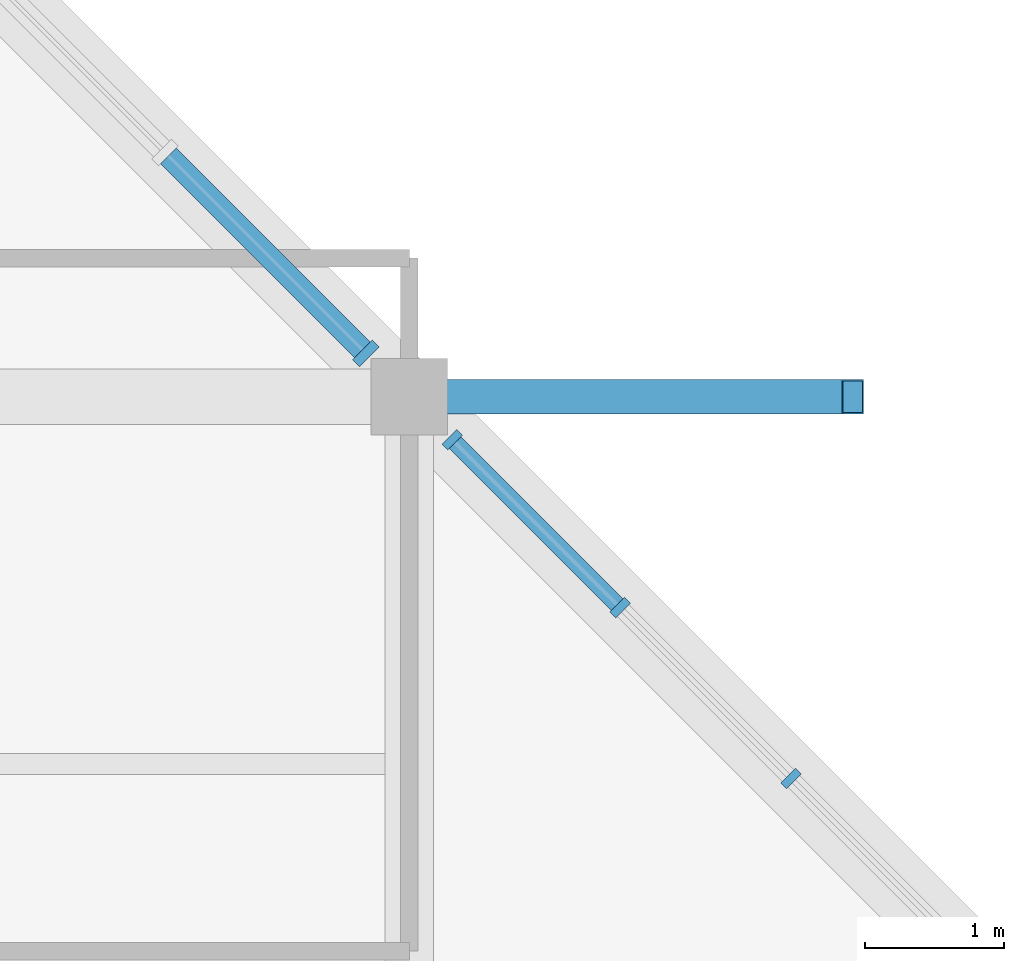
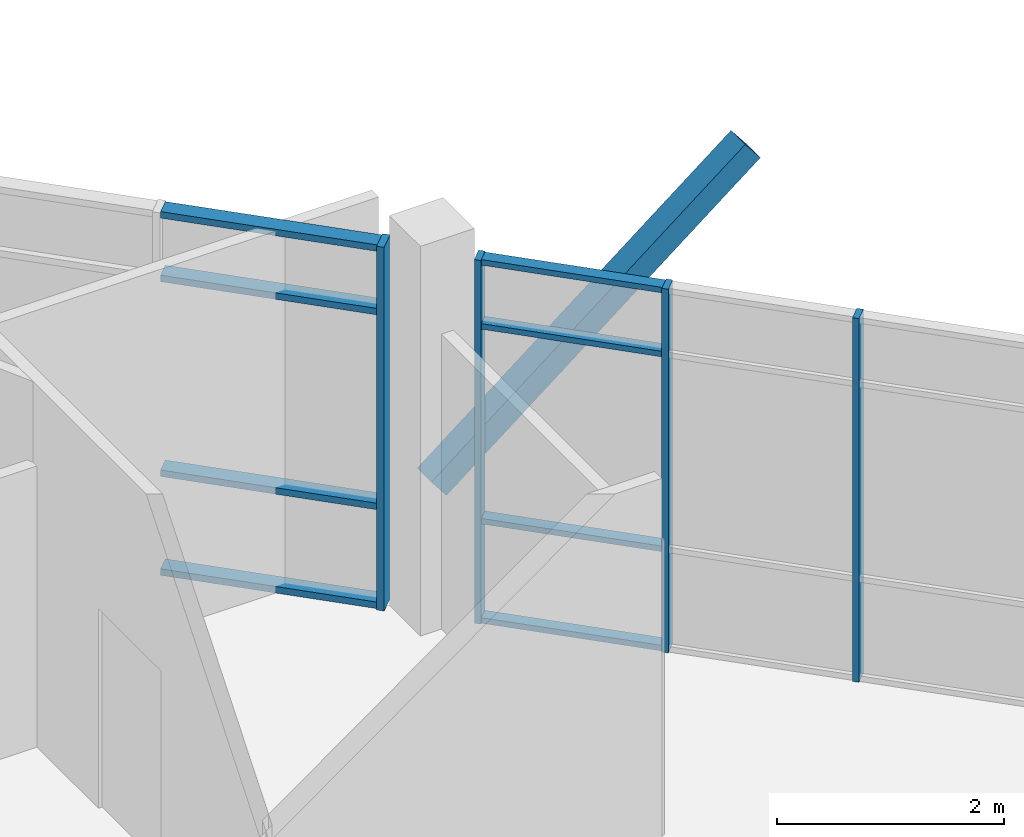
# One storey, part 26 of 72: 13 members, 2 elements without a shape of their own.
"""IFC4 building model written with IfcOpenShell, lengths in metres."""

from ifc_helpers import new_model, si_unit, direction, frame, origin, origin_2d, place, context, subcontext, project, spatial, rectangle, hollow_rectangle, extrude, material, material_profile, profile_set, type_object, element, aggregate, save


model = new_model("IFC4")

# Units and contexts
model_context = context("Model", 3, precision=1e-05, world=origin(), true_north=direction((0.0, 1.0)))
body_context = subcontext(model_context, "Body", "Model", "MODEL_VIEW")
ifc_project = project(units=[si_unit("LENGTHUNIT", "METRE"), si_unit("AREAUNIT", "SQUARE_METRE"), si_unit("VOLUMEUNIT", "CUBIC_METRE"), si_unit("PLANEANGLEUNIT", "RADIAN"), si_unit("MASSUNIT", "GRAM", prefix="KILO")], contexts=[model_context])

# Site, building, storey
site_placement = place(None, origin())
site = spatial("IfcSite", under=ifc_project, at=site_placement, CompositionType="ELEMENT")
building_placement = place(site_placement, origin())
building = spatial("IfcBuilding", under=site, at=building_placement, Name="Tenunan Teduh Sports Hall", CompositionType="ELEMENT")
storey_placement = place(building_placement, frame((0.0, 0.0, 15.0)))
storey = spatial("IfcBuildingStorey", under=building, at=storey_placement, Name="L03", CompositionType="ELEMENT", Elevation=15.0)

# Curtain wall, members
ifc_material_1 = material(Name="Anodised aluminium", Category="aluminium")
curtain_wall_type = type_object("IfcCurtainWallType", Name="CW-UNIT-2", PredefinedType="NOTDEFINED", material=ifc_material_1)
curtain_wall_1_placement = place(storey_placement, origin())
curtain_wall_1 = element("IfcCurtainWall", 1, at=curtain_wall_1_placement, inside=storey, type_object=curtain_wall_type, Name="CW-CWM-150-L03-223", PredefinedType="NOTDEFINED")
ifc_material_2 = material(Name="Anodised aluminium", Category="aluminium")
ifc_material_profile_1 = material_profile(ifc_material_2, rectangle(XDim=0.06005859375, YDim=0.14990234375, at=origin_2d()), Name="CWM 60x150")
ifc_profile_set_1 = profile_set([ifc_material_profile_1], Name="Anodised aluminium")
member_type_1 = type_object("IfcMemberType", Name="CWM-150", PredefinedType="MULLION", material=ifc_profile_set_1)
member_1_placement = place(storey_placement, frame((72.754150390625, 107.245849609375, 0.0), z_axis=(0.0, 0.0, 1.0), x_axis=(-0.707106781187, 0.707106781187, 0.0)))
member_1 = element("IfcMember", 2, at=member_1_placement, type_object=member_type_1, Name="CW-02 mullion 5", PredefinedType="MULLION", context=body_context, shape_type="SweptSolid", body=[
    extrude(rectangle(XDim=0.06005859375, YDim=0.14990234375, at=origin_2d()), origin(), (0.0, 0.0, 1.0), 3.919921875),
])
member_2_placement = place(storey_placement, frame((71.521484375, 108.478515625, 0.0), z_axis=(0.0, 0.0, 1.0), x_axis=(-0.707106781187, 0.707106781187, 0.0)))
member_2 = element("IfcMember", 3, at=member_2_placement, type_object=member_type_1, Name="CW-02 mullion 6", PredefinedType="MULLION", context=body_context, shape_type="SweptSolid", body=[
    extrude(rectangle(XDim=0.06005859375, YDim=0.14990234375, at=origin_2d()), origin(), (0.0, 0.0, 1.0), 3.919921875),
])
member_3_placement = place(storey_placement, frame((70.309814453125, 109.690185546875, 0.0), z_axis=(0.0, 0.0, 1.0), x_axis=(-0.707106781187, 0.707106781187, 0.0)))
member_3 = element("IfcMember", 4, at=member_3_placement, type_object=member_type_1, Name="CW-02 mullion 7", PredefinedType="MULLION", context=body_context, shape_type="SweptSolid", body=[
    extrude(rectangle(XDim=0.06005859375, YDim=0.14990234375, at=origin_2d()), origin(), (0.0, 0.0, 1.0), 3.919921875),
])

# Curtain wall, member
curtain_wall_2_placement = place(storey_placement, origin())
curtain_wall_2 = element("IfcCurtainWall", 5, at=curtain_wall_2_placement, inside=storey, type_object=curtain_wall_type, Name="CW-CWM-200-L03-224", PredefinedType="NOTDEFINED")
ifc_material_3 = material(Name="Anodised aluminium", Category="aluminium")
ifc_material_profile_2 = material_profile(ifc_material_3, rectangle(XDim=0.070068359375, YDim=0.199951171875, at=origin_2d()), Name="CWM 70x200")
ifc_profile_set_2 = profile_set([ifc_material_profile_2], Name="Anodised aluminium")
member_type_2 = type_object("IfcMemberType", Name="CWM-200", PredefinedType="MULLION", material=ifc_profile_set_2)
member_4_placement = place(storey_placement, frame((69.6865234375, 110.3134765625, 0.0), z_axis=(0.0, 0.0, 1.0), x_axis=(-0.707106781187, 0.707106781187, 0.0)))
member_4 = element("IfcMember", 6, at=member_4_placement, type_object=member_type_2, Name="CW-02 mullion 1", PredefinedType="MULLION", context=body_context, shape_type="SweptSolid", body=[
    extrude(rectangle(XDim=0.070068359375, YDim=0.199951171875, at=origin_2d()), origin(), (0.0, 0.0, 1.0), 3.919921875),
])

# Member
ifc_material_4 = material(Name="Anodised aluminium", Category="aluminium")
ifc_material_profile_3 = material_profile(ifc_material_4, rectangle(XDim=0.06005859375, YDim=0.1201171875, at=origin_2d()), Name="CWT 60x120")
ifc_profile_set_3 = profile_set([ifc_material_profile_3], Name="Anodised aluminium")
member_type_3 = type_object("IfcMemberType", Name="CWT-125", PredefinedType="USERDEFINED", material=ifc_profile_set_3)
member_5_placement = place(storey_placement, frame((71.500244140625, 108.499755859375, 0.030029296875), z_axis=(-0.707106781187, 0.707106781187, 0.0), x_axis=(0.0, 0.0, 1.0)))
member_5 = element("IfcMember", 7, at=member_5_placement, type_object=member_type_3, Name="CW-02 transom 6.1", ObjectType="TRANSOM", PredefinedType="USERDEFINED", context=body_context, shape_type="SweptSolid", body=[
    extrude(rectangle(XDim=0.06005859375, YDim=0.1201171875, at=origin_2d()), origin(), (0.0, 0.0, 1.0), 1.653564453125),
])

member_6_placement = place(storey_placement, frame((71.500244140625, 108.499755859375, 1.10009765625), z_axis=(-0.707106781187, 0.707106781187, 0.0), x_axis=(0.0, 0.0, 1.0)))
member_6 = element("IfcMember", 8, at=member_6_placement, type_object=member_type_3, Name="CW-02 transom 6.2", ObjectType="TRANSOM", PredefinedType="USERDEFINED", context=body_context, shape_type="SweptSolid", body=[
    extrude(rectangle(XDim=0.06005859375, YDim=0.1201171875, at=origin_2d()), origin(), (0.0, 0.0, 1.0), 1.653564453125),
])

member_7_placement = place(storey_placement, frame((71.500244140625, 108.499755859375, 3.199951171875), z_axis=(-0.707106781187, 0.707106781187, 0.0), x_axis=(0.0, 0.0, 1.0)))
member_7 = element("IfcMember", 9, at=member_7_placement, type_object=member_type_3, Name="CW-02 transom 6.3", ObjectType="TRANSOM", PredefinedType="USERDEFINED", context=body_context, shape_type="SweptSolid", body=[
    extrude(rectangle(XDim=0.06005859375, YDim=0.1201171875, at=origin_2d()), origin(), (0.0, 0.0, 1.0), 1.653564453125),
])

member_8_placement = place(storey_placement, frame((71.500244140625, 108.499755859375, 3.889892578125), z_axis=(-0.707106781187, 0.707106781187, 0.0), x_axis=(0.0, 0.0, 1.0)))
member_8 = element("IfcMember", 10, at=member_8_placement, type_object=member_type_3, Name="CW-02 transom 6.4", ObjectType="TRANSOM", PredefinedType="USERDEFINED", context=body_context, shape_type="SweptSolid", body=[
    extrude(rectangle(XDim=0.06005859375, YDim=0.1201171875, at=origin_2d()), origin(), (0.0, 0.0, 1.0), 1.653564453125),
])

aggregate(curtain_wall_1, [member_1, member_2, member_3, member_5, member_6, member_7, member_8])

ifc_material_5 = material(Name="Anodised aluminium", Category="aluminium")
ifc_material_profile_4 = material_profile(ifc_material_5, rectangle(XDim=0.070068359375, YDim=0.159912109375, at=origin_2d()), Name="CWT 70x160")
ifc_profile_set_4 = profile_set([ifc_material_profile_4], Name="Anodised aluminium")
member_type_4 = type_object("IfcMemberType", Name="CWT-200", PredefinedType="USERDEFINED", material=ifc_profile_set_4)
member_9_placement = place(storey_placement, frame((69.661865234375, 110.338134765625, 0.034912109375), z_axis=(-0.707106781187, 0.707106781187, 0.0), x_axis=(0.0, 0.0, 1.0)))
member_9 = element("IfcMember", 11, at=member_9_placement, type_object=member_type_4, Name="CW-02 transom 1.1", ObjectType="TRANSOM", PredefinedType="USERDEFINED", context=body_context, shape_type="SweptSolid", body=[
    extrude(rectangle(XDim=0.070068359375, YDim=0.159912109375, at=origin_2d()), origin(), (0.0, 0.0, 1.0), 1.979736328125),
])

member_10_placement = place(storey_placement, frame((69.661865234375, 110.338134765625, 1.10009765625), z_axis=(-0.707106781187, 0.707106781187, 0.0), x_axis=(0.0, 0.0, 1.0)))
member_10 = element("IfcMember", 12, at=member_10_placement, type_object=member_type_4, Name="CW-02 transom 1.2", ObjectType="TRANSOM", PredefinedType="USERDEFINED", context=body_context, shape_type="SweptSolid", body=[
    extrude(rectangle(XDim=0.070068359375, YDim=0.159912109375, at=origin_2d()), origin(), (0.0, 0.0, 1.0), 1.979736328125),
])

member_11_placement = place(storey_placement, frame((69.661865234375, 110.338134765625, 3.199951171875), z_axis=(-0.707106781187, 0.707106781187, 0.0), x_axis=(0.0, 0.0, 1.0)))
member_11 = element("IfcMember", 13, at=member_11_placement, type_object=member_type_4, Name="CW-02 transom 1.3", ObjectType="TRANSOM", PredefinedType="USERDEFINED", context=body_context, shape_type="SweptSolid", body=[
    extrude(rectangle(XDim=0.070068359375, YDim=0.159912109375, at=origin_2d()), origin(), (0.0, 0.0, 1.0), 1.979736328125),
])

member_12_placement = place(storey_placement, frame((69.661865234375, 110.338134765625, 3.885009765625), z_axis=(-0.707106781187, 0.707106781187, 0.0), x_axis=(0.0, 0.0, 1.0)))
member_12 = element("IfcMember", 14, at=member_12_placement, type_object=member_type_4, Name="CW-02 transom 1.4", ObjectType="TRANSOM", PredefinedType="USERDEFINED", context=body_context, shape_type="SweptSolid", body=[
    extrude(rectangle(XDim=0.070068359375, YDim=0.159912109375, at=origin_2d()), origin(), (0.0, 0.0, 1.0), 1.979736328125),
])

aggregate(curtain_wall_2, [member_4, member_9, member_10, member_11, member_12])

ifc_material_6 = material(Name="Steel S355", Category="steel")
ifc_material_profile_5 = material_profile(ifc_material_6, hollow_rectangle(XDim=0.25, YDim=0.25, WallThickness=0.012451171875, at=origin_2d()), Name="SHS 250x250x12.5")
ifc_profile_set_5 = profile_set([ifc_material_profile_5], Name="Steel S355")
member_type_5 = type_object("IfcMemberType", Name="MEM-ST-SHS250", PredefinedType="STRUT", material=ifc_profile_set_5)
member_13_placement = place(storey_placement, frame((70.0, 110.0, 1.39990234375), z_axis=(0.785629395177, 0.0, 0.618697384376), x_axis=(0.0, 1.0, 0.0)))
element("IfcMember", 15, at=member_13_placement, inside=storey, type_object=member_type_5, Name="MEM-VS-01-L03-1279", PredefinedType="STRUT", context=body_context, shape_type="SweptSolid", body=[
    extrude(hollow_rectangle(XDim=0.25, YDim=0.25, WallThickness=0.012451171875, at=origin_2d()), origin(), (0.0, 0.0, 1.0), 4.072998046875),
])

save(model, "model.ifc")
